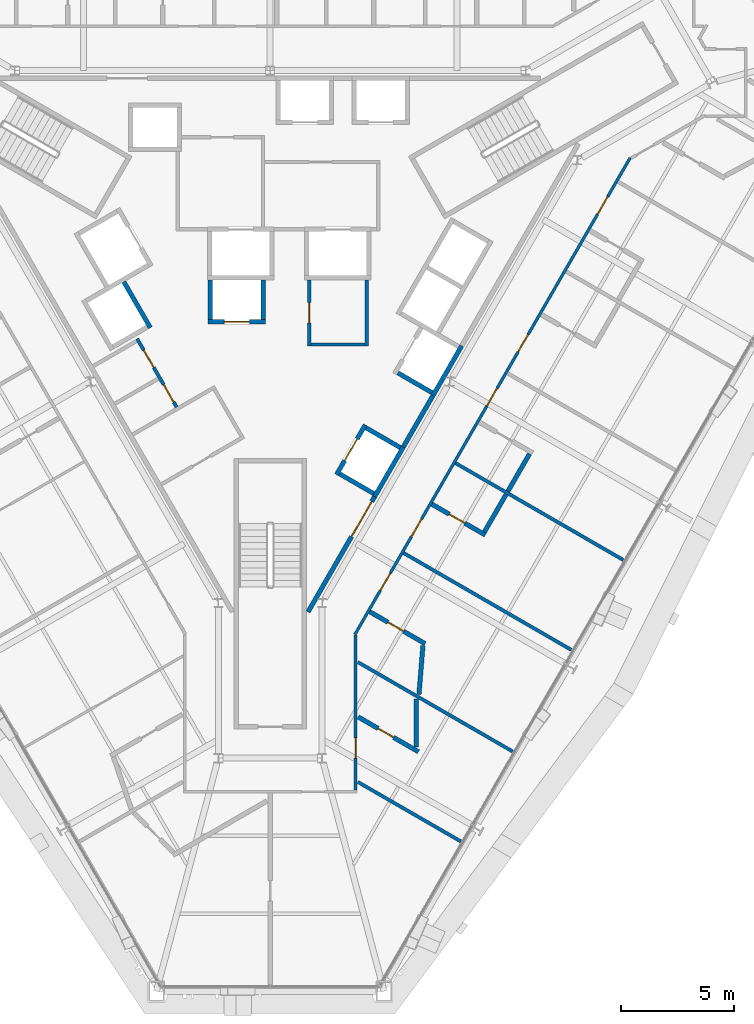
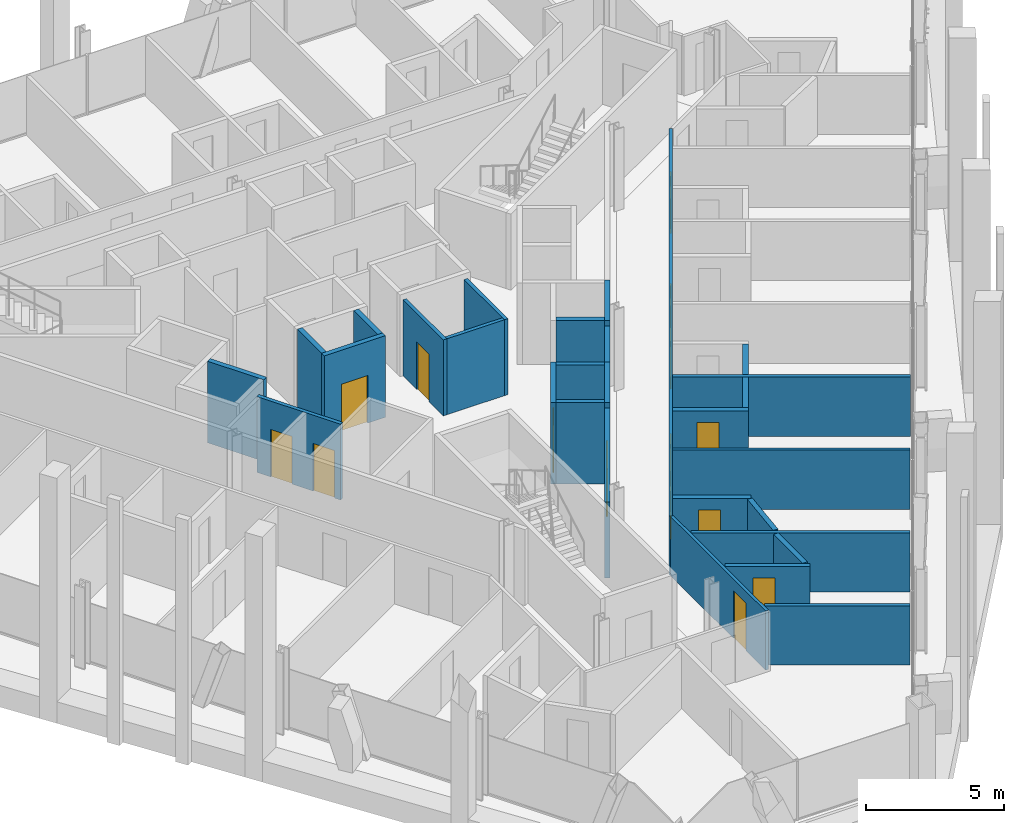
# One storey, part 11 of 17: 29 walls, 15 doors, 15 openings.
"""IFC4 building model written with IfcOpenShell, lengths in metres."""

import ifcopenshell
import ifcopenshell.guid

model = None  # the IFC model being written
_history = None  # IfcOwnerHistory: only IFC2X3 demands one
_inside = {}  # id of a spatial element -> (the spatial element, [elements in it])
_under = {}  # id of a project, library or spatial element -> (it, [spatial elements below it])
_declared = {}  # id of a project -> (the project, [libraries it declares])
_typed = {}  # id of a type object -> (the type object, [elements of that type])
_made_of = {}  # id of a material, layer set ... -> (it, [elements and type objects made of it])


def new_model(schema):
    """Start an empty IFC model of exactly this schema.

    Asked for "IFC4X3", IfcOpenShell would pick the latest addendum, in which some entities
    have other attributes; the version numbers below select the first issue.
    IFC2X3 requires an IfcOwnerHistory on every rooted entity: one is made here for all.
    """
    global model, _history
    if schema == "IFC4X3":
        model = ifcopenshell.file(schema_version=(4, 3, 0, 0))
    else:
        model = ifcopenshell.file(schema=schema)
    _inside.clear()
    _under.clear()
    _declared.clear()
    _typed.clear()
    _made_of.clear()
    _history = None
    if model.schema == "IFC2X3":
        org = make("IfcOrganization", Name="unknown")
        user = make(
            "IfcPersonAndOrganization",
            ThePerson=make("IfcPerson", FamilyName="unknown"),
            TheOrganization=org,
        )
        app = make(
            "IfcApplication",
            ApplicationDeveloper=org,
            Version="unknown",
            ApplicationFullName="unknown",
            ApplicationIdentifier="unknown",
        )
        _history = make(
            "IfcOwnerHistory",
            OwningUser=user,
            OwningApplication=app,
            ChangeAction="ADDED",
            CreationDate=0,
        )
    return model


def make(cls, **values):
    """One entity of the class cls with the attributes given. An attribute that is None is left unset."""
    return model.create_entity(
        cls, **{name: value for name, value in values.items() if value is not None}
    )


def rooted(cls, **values):
    """An entity with a GlobalId (a new one), such as an element, a storey or a relation."""
    return make(cls, GlobalId=ifcopenshell.guid.new(), OwnerHistory=_history, **values)


def si_unit(unit_type, name, prefix=None):
    """IfcSIUnit, for example si_unit("LENGTHUNIT", "METRE", prefix="MILLI")."""
    return make("IfcSIUnit", UnitType=unit_type, Prefix=prefix, Name=name)


def assignment(units):
    """IfcUnitAssignment: the units of a project."""
    return None if units is None else make("IfcUnitAssignment", Units=units)


def point(xyz):
    """IfcCartesianPoint."""
    return None if xyz is None else make("IfcCartesianPoint", Coordinates=xyz)


def direction(xyz):
    """IfcDirection."""
    return None if xyz is None else make("IfcDirection", DirectionRatios=xyz)


def frame(location, z_axis=None, x_axis=None):
    """IfcAxis2Placement3D, a coordinate frame: its origin and axes. An axis left out is left unset."""
    return make(
        "IfcAxis2Placement3D",
        Location=point(location),
        Axis=direction(z_axis),
        RefDirection=direction(x_axis),
    )


def frame_2d(location, x_axis=None):
    """IfcAxis2Placement2D, a coordinate frame in the plane: its origin and x axis."""
    return make(
        "IfcAxis2Placement2D", Location=point(location), RefDirection=direction(x_axis)
    )


def origin():
    """The frame at (0, 0, 0) with its axes left unset."""
    return frame((0.0, 0.0, 0.0))


def place(relative_to, where):
    """IfcLocalPlacement: puts the frame where relative to a parent placement (None: the world)."""
    return make(
        "IfcLocalPlacement", PlacementRelTo=relative_to, RelativePlacement=where
    )


def context(
    kind, dimensions, precision=None, world=None, true_north=None, identifier=None
):
    """IfcGeometricRepresentationContext, for example the 3D "Model" context."""
    return make(
        "IfcGeometricRepresentationContext",
        ContextIdentifier=identifier,
        ContextType=kind,
        CoordinateSpaceDimension=dimensions,
        Precision=precision,
        WorldCoordinateSystem=world,
        TrueNorth=true_north,
    )


def subcontext(parent, identifier, kind, view, scale=None):
    """IfcGeometricRepresentationSubContext, for example "Body" below "Model"."""
    return make(
        "IfcGeometricRepresentationSubContext",
        ContextIdentifier=identifier,
        ContextType=kind,
        ParentContext=parent,
        TargetScale=scale,
        TargetView=view,
    )


def project(units=None, contexts=None):
    """IfcProject with its units and contexts."""
    return rooted(
        "IfcProject",
        Name="project",
        RepresentationContexts=contexts,
        UnitsInContext=assignment(units),
    )


def spatial(cls, under=None, at=None, **own):
    """A site, building, storey or space (cls), placed at a placement, below another one or the project."""
    s = rooted(cls, ObjectPlacement=at, **own)
    if under is not None:
        _under.setdefault(under.id(), (under, []))[1].append(s)
    return s


def profile(cls, at=None, kind="AREA", **sizes):
    """A parametric profile (cls). Its sizes go by their IFC names, for example OverallWidth=200.0."""
    return make(cls, ProfileType=kind, Position=at, **sizes)


def rectangle(**sizes):
    """IfcRectangleProfileDef."""
    return profile("IfcRectangleProfileDef", **sizes)


def extrude(swept, where, along, depth):
    """IfcExtrudedAreaSolid: the profile swept, set in the frame where, extruded along a direction by depth."""
    return make(
        "IfcExtrudedAreaSolid",
        SweptArea=swept,
        Position=where,
        ExtrudedDirection=direction(along),
        Depth=depth,
    )


def shape(context_of_items, identifier, shape_type, items):
    """IfcShapeRepresentation: the items that make up one representation, for example the "Body"."""
    return make(
        "IfcShapeRepresentation",
        ContextOfItems=context_of_items,
        RepresentationIdentifier=identifier,
        RepresentationType=shape_type,
        Items=items,
    )


def material(Name=None, Category=None):
    """IfcMaterial."""
    return make("IfcMaterial", Name=Name, Category=Category)


def layer(
    of_material, thickness, ventilated=None, Name=None, Category=None, Priority=None
):
    """IfcMaterialLayer: one layer of a wall or slab, of a material (None: an air gap)."""
    return make(
        "IfcMaterialLayer",
        Material=of_material,
        LayerThickness=thickness,
        IsVentilated=ventilated,
        Name=Name,
        Category=Category,
        Priority=Priority,
    )


def layer_set(layers, Name=None):
    """IfcMaterialLayerSet."""
    return make("IfcMaterialLayerSet", MaterialLayers=layers, LayerSetName=Name)


def made_of(thing, what):
    """Note that an element or type object is made of a material, layer set ...; save() writes the relation."""
    if what is not None:
        _made_of.setdefault(what.id(), (what, []))[1].append(thing)
    return thing


def type_object(cls, material=None, **own):
    """A type object (cls), such as IfcWallType, which elements share."""
    return made_of(rooted(cls, **own), material)


def element(
    cls,
    number,
    at=None,
    inside=None,
    cuts=None,
    type_object=None,
    material=None,
    context=None,
    identifier="Body",
    shape_type=None,
    held_by="IfcProductDefinitionShape",
    body=None,
    shapes=None,
    **own,
):
    """One element of the class cls, such as IfcWall. Its Tag is "e" and its number.

    at: its placement. inside: the storey or other place that contains it. cuts: it is an
    opening in that element (IfcRelVoidsElement). A single representation is given by context,
    identifier, shape_type and body (its items); several are given by shapes. held_by: the class
    of the entity that holds the representations. save() writes the other relations.
    """
    e = rooted(cls, Tag="e%d" % number, ObjectPlacement=at, **own)
    if body is not None:
        shapes = [shape(context, identifier, shape_type, body)]
    if shapes is not None:
        e.Representation = make(held_by, Representations=shapes)
    if inside is not None:
        _inside.setdefault(inside.id(), (inside, []))[1].append(e)
    if cuts is not None:
        rooted(
            "IfcRelVoidsElement", RelatingBuildingElement=cuts, RelatedOpeningElement=e
        )
    if type_object is not None:
        _typed.setdefault(type_object.id(), (type_object, []))[1].append(e)
    return made_of(e, material)


def fill(opening, filler):
    """IfcRelFillsElement: the door or window that sits in an opening."""
    return rooted(
        "IfcRelFillsElement",
        RelatingOpeningElement=opening,
        RelatedBuildingElement=filler,
    )


def aggregate(whole, parts):
    """IfcRelAggregates: a whole, such as a stair, and the parts it consists of."""
    return rooted("IfcRelAggregates", RelatingObject=whole, RelatedObjects=parts)


def save(model, path):
    """Write the relations noted so far, then the file.

    IfcRelAggregates (storeys below a building ...), IfcRelContainedInSpatialStructure (elements
    in a storey), IfcRelDefinesByType, IfcRelAssociatesMaterial and IfcRelDeclares: one each for
    every whole, place, type object, material and project.
    """
    for whole, parts in _under.values():
        aggregate(whole, parts)
    for where, things in _inside.values():
        rooted(
            "IfcRelContainedInSpatialStructure",
            RelatedElements=things,
            RelatingStructure=where,
        )
    for kind, things in _typed.values():
        rooted("IfcRelDefinesByType", RelatedObjects=things, RelatingType=kind)
    for what, things in _made_of.values():
        rooted("IfcRelAssociatesMaterial", RelatedObjects=things, RelatingMaterial=what)
    for by, libraries in _declared.values():
        rooted("IfcRelDeclares", RelatingContext=by, RelatedDefinitions=libraries)
    model.write(path)


model = new_model("IFC4")

# Units and contexts
model_context = context("Model", 3, precision=1e-05, world=origin(), true_north=direction((0.0, 1.0)))
body_context = subcontext(model_context, "Body", "Model", "MODEL_VIEW")
ifc_project = project(units=[si_unit("LENGTHUNIT", "METRE"), si_unit("AREAUNIT", "SQUARE_METRE"), si_unit("VOLUMEUNIT", "CUBIC_METRE"), si_unit("PLANEANGLEUNIT", "RADIAN"), si_unit("MASSUNIT", "GRAM", prefix="KILO")], contexts=[model_context])

# Site, building, storey
site_placement = place(None, origin())
site = spatial("IfcSite", under=ifc_project, at=site_placement, CompositionType="ELEMENT")
building_placement = place(site_placement, origin())
building = spatial("IfcBuilding", under=site, at=building_placement, Name="Verrane Prism Tower", CompositionType="ELEMENT")
storey_placement = place(building_placement, frame((0.0, 0.0, 132.39990234375)))
storey = spatial("IfcBuildingStorey", under=building, at=storey_placement, Name="L32", CompositionType="ELEMENT", Elevation=132.39990234375)

# Wall, opening, door
ifc_material_1 = material(Name="Gypsum board partition", Category="other")
ifc_layer_1 = layer(ifc_material_1, 0.199951171875)
ifc_layer_set_1 = layer_set([ifc_layer_1], Name="CW-200 core boundary wall 2 h")
wall_type_1 = type_object("IfcWallType", Name="CW-200 core boundary wall 2 h", PredefinedType="PARTITIONING", material=ifc_layer_set_1)
wall_1_placement = place(storey_placement, frame((1.677490234375, -14.814697265625, 0.0), z_axis=(0.0, 0.0, 1.0), x_axis=(0.49999445743, 0.866028603765, 0.0)))
wall_1 = element("IfcWall", 1, at=wall_1_placement, inside=storey, type_object=wall_type_1, Name="Core boundary wall CW3-003", PredefinedType="PARTITIONING", context=body_context, shape_type="SweptSolid", body=[
    extrude(rectangle(XDim=5.90478515625, YDim=0.199951171875, at=frame_2d((2.952392578125, 0.0))), origin(), (0.0, 0.0, 1.0), 3.35009765625),
])
opening_1_placement = place(wall_1_placement, frame((3.85498046875, 0.0, 0.0)))
opening_1 = element("IfcOpeningElement", 2, at=opening_1_placement, cuts=wall_1, Name="Opening D32517", PredefinedType="OPENING", context=body_context, shape_type="SweptSolid", body=[
    extrude(rectangle(XDim=1.800048828125, YDim=2.10009765625, at=frame_2d((0.89990234375, 1.050048828125))), frame((0.0, 0.10986328125, 0.0), z_axis=(0.0, -1.0, 0.0), x_axis=(1.0, 0.0, 0.0)), (0.0, 0.0, 1.0), 0.219970703125),
])
ifc_material_2 = material(Name="Timber veneered door leaf", Category="wood")
door_type_1 = type_object("IfcDoorType", Name="DR-1800x2100 FD60 double leaf lift lobby", OperationType="NOTDEFINED", PredefinedType="DOOR", material=ifc_material_2)
door_1_placement = place(opening_1_placement, origin())
door_1 = element("IfcDoor", 3, at=door_1_placement, inside=storey, type_object=door_type_1, Name="Lift lobby door D32517", OperationType="DOUBLE_DOOR_SINGLE_SWING", OverallHeight=2.10009765625, OverallWidth=1.800048828125, PredefinedType="DOOR", context=body_context, shape_type="SweptSolid", body=[
    extrude(rectangle(XDim=1.800048828125, YDim=2.10009765625, at=frame_2d((0.89990234375, 1.050048828125))), frame((0.0, 0.02490234375, 0.0), z_axis=(0.0, -1.0, 0.0), x_axis=(1.0, 0.0, 0.0)), (0.0, 0.0, 1.0), 0.050048828125),
])
fill(opening_1, door_1)

# Wall
wall_2_placement = place(storey_placement, frame((5.906005859375, -7.489990234375, 0.0), z_axis=(0.0, 0.0, 1.0), x_axis=(0.500252727967, 0.865879442048, 0.0)))
element("IfcWall", 4, at=wall_2_placement, inside=storey, type_object=wall_type_1, Name="Core boundary wall CW3-005", PredefinedType="PARTITIONING", context=body_context, shape_type="SweptSolid", body=[
    extrude(rectangle(XDim=2.616943359375, YDim=0.199951171875, at=frame_2d((1.30859375, 0.0))), origin(), (0.0, 0.0, 1.0), 3.35009765625),
])

# Wall, opening, door
ifc_material_3 = material(Name="Gypsum board shaft wall assembly", Category="other")
ifc_layer_2 = layer(ifc_material_3, 0.199951171875)
ifc_layer_set_2 = layer_set([ifc_layer_2], Name="HW-200 lift shaft wall 2 h")
wall_type_2 = type_object("IfcWallType", Name="HW-200 lift shaft wall 2 h", PredefinedType="PARTITIONING", material=ifc_layer_set_2)
wall_3_placement = place(storey_placement, frame((-2.7548828125, -1.949951171875, 0.0), z_axis=(0.0, 0.0, 1.0), x_axis=(1.0, 0.0, 0.0)))
wall_3 = element("IfcWall", 5, at=wall_3_placement, inside=storey, type_object=wall_type_2, Name="Lift shaft wall", PredefinedType="PARTITIONING", context=body_context, shape_type="SweptSolid", body=[
    extrude(rectangle(XDim=2.5498046875, YDim=0.199951171875, at=frame_2d((1.27490234375, 0.0))), origin(), (0.0, 0.0, 1.0), 3.60009765625),
])
opening_2_placement = place(wall_3_placement, frame((0.72509765625, 0.0, 0.0)))
opening_2 = element("IfcOpeningElement", 6, at=opening_2_placement, cuts=wall_3, Name="Opening D32504", PredefinedType="OPENING", context=body_context, shape_type="SweptSolid", body=[
    extrude(rectangle(XDim=1.10009765625, YDim=2.10009765625, at=frame_2d((0.550048828125, 1.050048828125))), frame((0.0, 0.10986328125, 0.0), z_axis=(0.0, -1.0, 0.0), x_axis=(1.0, 0.0, 0.0)), (0.0, 0.0, 1.0), 0.219970703125),
])
ifc_material_4 = material(Name="Stainless steel sliding landing door", Category="steel")
door_type_2 = type_object("IfcDoorType", Name="LD-1100x2100 lift landing door FD90 sliding", OperationType="NOTDEFINED", PredefinedType="DOOR", material=ifc_material_4)
door_2_placement = place(opening_2_placement, origin())
door_2 = element("IfcDoor", 7, at=door_2_placement, inside=storey, type_object=door_type_2, Name="Bank A lift 2 landing door", OperationType="SLIDING_TO_RIGHT", OverallHeight=2.10009765625, OverallWidth=1.10009765625, PredefinedType="DOOR", context=body_context, shape_type="SweptSolid", body=[
    extrude(rectangle(XDim=1.10009765625, YDim=2.10009765625, at=frame_2d((0.550048828125, 1.050048828125))), frame((0.0, 0.02490234375, 0.0), z_axis=(0.0, -1.0, 0.0), x_axis=(1.0, 0.0, 0.0)), (0.0, 0.0, 1.0), 0.050048828125),
])
fill(opening_2, door_2)

# Walls
wall_4_placement = place(storey_placement, frame((4.63037109375, -9.69970703125, 0.0), z_axis=(0.0, 0.0, 1.0), x_axis=(0.500062241894, 0.865989465428, 0.0)))
element("IfcWall", 8, at=wall_4_placement, inside=storey, type_object=wall_type_2, Name="Lift shaft wall", PredefinedType="PARTITIONING", context=body_context, shape_type="SweptSolid", body=[
    extrude(rectangle(XDim=2.550048828125, YDim=0.199951171875, at=frame_2d((1.27490234375, 0.0))), origin(), (0.0, 0.0, 1.0), 3.60009765625),
])
wall_5_placement = place(storey_placement, frame((7.215576171875, -5.222412109375, 0.0), z_axis=(0.0, 0.0, 1.0), x_axis=(0.499990435942, 0.866030925526, 0.0)))
element("IfcWall", 9, at=wall_5_placement, inside=storey, type_object=wall_type_2, Name="Lift shaft wall", PredefinedType="PARTITIONING", context=body_context, shape_type="SweptSolid", body=[
    extrude(rectangle(XDim=2.5498046875, YDim=0.199951171875, at=frame_2d((1.27490234375, 0.0))), origin(), (0.0, 0.0, 1.0), 3.60009765625),
])

# Wall, opening, door
wall_6_placement = place(storey_placement, frame((2.941650390625, -8.724853515625, 0.0), z_axis=(0.0, 0.0, 1.0), x_axis=(0.500020783669, 0.866013403995, 0.0)))
wall_6 = element("IfcWall", 10, at=wall_6_placement, inside=storey, type_object=wall_type_2, Name="Lift shaft wall", PredefinedType="PARTITIONING", context=body_context, shape_type="SweptSolid", body=[
    extrude(rectangle(XDim=2.55029296875, YDim=0.199951171875, at=frame_2d((1.275146484375, 0.0))), origin(), (0.0, 0.0, 1.0), 3.60009765625),
])
opening_3_placement = place(wall_6_placement, frame((0.72509765625, 0.0, 0.0)))
opening_3 = element("IfcOpeningElement", 11, at=opening_3_placement, cuts=wall_6, Name="Opening D32506", PredefinedType="OPENING", context=body_context, shape_type="SweptSolid", body=[
    extrude(rectangle(XDim=1.10009765625, YDim=2.10009765625, at=frame_2d((0.550048828125, 1.050048828125))), frame((0.0, 0.10986328125, 0.0), z_axis=(0.0, -1.0, 0.0), x_axis=(1.0, 0.0, 0.0)), (0.0, 0.0, 1.0), 0.219970703125),
])
door_3_placement = place(opening_3_placement, origin())
door_3 = element("IfcDoor", 12, at=door_3_placement, inside=storey, type_object=door_type_2, Name="Bank A lift 4 landing door", OperationType="SLIDING_TO_RIGHT", OverallHeight=2.10009765625, OverallWidth=1.10009765625, PredefinedType="DOOR", context=body_context, shape_type="SweptSolid", body=[
    extrude(rectangle(XDim=1.10009765625, YDim=2.10009765625, at=frame_2d((0.550048828125, 1.050048828125))), frame((0.0, 0.02490234375, 0.0), z_axis=(0.0, -1.0, 0.0), x_axis=(1.0, 0.0, 0.0)), (0.0, 0.0, 1.0), 0.050048828125),
])
fill(opening_3, door_3)

# Walls
for number, where, z_axis, x_axis, name in (
    (13, (-0.304931640625, -1.85009765625, 0.0), (0.0, 0.0, 1.0), (0.0, 1.0, 0.0), "Lift shaft wall"),
    (14, (-2.655029296875, -1.85009765625, 0.0), (0.0, 0.0, 1.0), (0.0, 1.0, 0.0), "Lift shaft wall"),
):
    element("IfcWall", number, at=place(storey_placement, frame(where, z_axis=z_axis, x_axis=x_axis)), inside=storey, type_object=wall_type_2, Name=name, PredefinedType="PARTITIONING", context=body_context, shape_type="SweptSolid", body=[
        extrude(rectangle(XDim=1.75, YDim=0.199951171875, at=frame_2d((0.875, 0.0))), origin(), (0.0, 0.0, 1.0), 3.60009765625),
    ])
wall_7_placement = place(storey_placement, frame((-5.317626953125, -2.209716796875, 0.0), z_axis=(0.0, 0.0, 1.0), x_axis=(-0.499938297808, 0.866061024631, 0.0)))
element("IfcWall", 15, at=wall_7_placement, inside=storey, type_object=wall_type_2, Name="Lift shaft wall", PredefinedType="PARTITIONING", context=body_context, shape_type="SweptSolid", body=[
    extrude(rectangle(XDim=2.349853515625, YDim=0.199951171875, at=frame_2d((1.1748046875, 0.0))), origin(), (0.0, 0.0, 1.0), 3.60009765625),
])
wall_8_placement = place(storey_placement, frame((7.178955078125, -5.085693359375, 0.0), z_axis=(0.0, 0.0, 1.0), x_axis=(-0.866036909293, 0.499980071345, 0.0)))
element("IfcWall", 16, at=wall_8_placement, inside=storey, type_object=wall_type_2, Name="Lift shaft wall", PredefinedType="PARTITIONING", context=body_context, shape_type="SweptSolid", body=[
    extrude(rectangle(XDim=1.75, YDim=0.199951171875, at=frame_2d((0.875, 0.0))), origin(), (0.0, 0.0, 1.0), 3.60009765625),
])
wall_9_placement = place(storey_placement, frame((5.768798828125, -7.528076171875, 0.0), z_axis=(0.0, 0.0, 1.0), x_axis=(-0.866002029911, 0.500040482552, 0.0)))
element("IfcWall", 17, at=wall_9_placement, inside=storey, type_object=wall_type_2, Name="Lift shaft wall", PredefinedType="PARTITIONING", context=body_context, shape_type="SweptSolid", body=[
    extrude(rectangle(XDim=1.749755859375, YDim=0.199951171875, at=frame_2d((0.875, 0.0))), origin(), (0.0, 0.0, 1.0), 3.60009765625),
])
wall_10_placement = place(storey_placement, frame((4.593994140625, -9.563232421875, 0.0), z_axis=(0.0, 0.0, 1.0), x_axis=(-0.866036909293, 0.499980071345, 0.0)))
element("IfcWall", 18, at=wall_10_placement, inside=storey, type_object=wall_type_2, Name="Lift shaft wall", PredefinedType="PARTITIONING", context=body_context, shape_type="SweptSolid", body=[
    extrude(rectangle(XDim=1.75, YDim=0.199951171875, at=frame_2d((0.875, 0.0))), origin(), (0.0, 0.0, 1.0), 3.60009765625),
])

# Wall, opening, door
ifc_material_5 = material(Name="Gypsum board partition", Category="other")
ifc_layer_3 = layer(ifc_material_5, 0.125)
ifc_layer_set_3 = layer_set([ifc_layer_3], Name="PW-125 corridor wall 1 h")
wall_type_3 = type_object("IfcWallType", Name="PW-125 corridor wall 1 h", PredefinedType="PARTITIONING", material=ifc_layer_set_3)
wall_11_placement = place(storey_placement, frame((3.787109375, -15.846923828125, 0.0), z_axis=(0.0, 0.0, 1.0), x_axis=(0.0, -1.0, 0.0)))
wall_11 = element("IfcWall", 19, at=wall_11_placement, inside=storey, type_object=wall_type_3, Name="Corridor wall 052", PredefinedType="PARTITIONING", context=body_context, shape_type="SweptSolid", body=[
    extrude(rectangle(XDim=6.875, YDim=0.125, at=frame_2d((3.4375, 0.0))), origin(), (0.0, 0.0, 1.0), 2.613037109375),
])
opening_4_placement = place(wall_11_placement, frame((4.551025390625, 0.0, 0.0)))
opening_4 = element("IfcOpeningElement", 20, at=opening_4_placement, cuts=wall_11, Name="Opening D32001", PredefinedType="OPENING", context=body_context, shape_type="SweptSolid", body=[
    extrude(rectangle(XDim=0.89990234375, YDim=2.10009765625, at=frame_2d((0.449951171875, 1.050048828125))), frame((0.0, 0.072509765625, 0.0), z_axis=(0.0, -1.0, 0.0), x_axis=(1.0, 0.0, 0.0)), (0.0, 0.0, 1.0), 0.14501953125),
])
ifc_material_6 = material(Name="Timber veneered door leaf", Category="wood")
door_type_3 = type_object("IfcDoorType", Name="DR-900x2100 FD20 single leaf unit", OperationType="NOTDEFINED", PredefinedType="DOOR", material=ifc_material_6)
door_4_placement = place(opening_4_placement, origin())
door_4 = element("IfcDoor", 21, at=door_4_placement, inside=storey, type_object=door_type_3, Name="Guest Room door", OperationType="SINGLE_SWING_RIGHT", OverallHeight=2.10009765625, OverallWidth=0.89990234375, PredefinedType="DOOR", context=body_context, shape_type="SweptSolid", body=[
    extrude(rectangle(XDim=0.89990234375, YDim=2.10009765625, at=frame_2d((0.449951171875, 1.050048828125))), frame((0.0, 0.02490234375, 0.0), z_axis=(0.0, -1.0, 0.0), x_axis=(1.0, 0.0, 0.0)), (0.0, 0.0, 1.0), 0.050048828125),
])
fill(opening_4, door_4)

# Wall, openings, doors
wall_12_placement = place(storey_placement, frame((15.962158203125, 5.326171875, 0.0), z_axis=(0.0, 0.0, 1.0), x_axis=(-0.499992829944, -0.866029543379, 0.0)))
wall_12 = element("IfcWall", 22, at=wall_12_placement, inside=storey, type_object=wall_type_3, Name="Corridor wall 056", PredefinedType="PARTITIONING", context=body_context, shape_type="SweptSolid", body=[
    extrude(rectangle(XDim=24.412841796875, YDim=0.125, at=frame_2d((12.20654296875, 0.0))), origin(), (0.0, 0.0, 1.0), 2.613037109375),
])
opening_5_placement = place(wall_12_placement, frame((21.257568359375, 0.0, 0.0)))
opening_5 = element("IfcOpeningElement", 23, at=opening_5_placement, cuts=wall_12, Name="Opening D32003", PredefinedType="OPENING", context=body_context, shape_type="SweptSolid", body=[
    extrude(rectangle(XDim=0.89990234375, YDim=2.10009765625, at=frame_2d((0.449951171875, 1.050048828125))), frame((0.0, 0.072509765625, 0.0), z_axis=(0.0, -1.0, 0.0), x_axis=(1.0, 0.0, 0.0)), (0.0, 0.0, 1.0), 0.14501953125),
])
opening_6_placement = place(wall_12_placement, frame((18.50244140625, 0.0, 0.0)))
opening_6 = element("IfcOpeningElement", 24, at=opening_6_placement, cuts=wall_12, Name="Opening D32005", PredefinedType="OPENING", context=body_context, shape_type="SweptSolid", body=[
    extrude(rectangle(XDim=0.89990234375, YDim=2.10009765625, at=frame_2d((0.449951171875, 1.050048828125))), frame((0.0, 0.072509765625, 0.0), z_axis=(0.0, -1.0, 0.0), x_axis=(1.0, 0.0, 0.0)), (0.0, 0.0, 1.0), 0.14501953125),
])
opening_7_placement = place(wall_12_placement, frame((11.798583984375, 0.0, 0.0)))
opening_7 = element("IfcOpeningElement", 25, at=opening_7_placement, cuts=wall_12, Name="Opening D32007", PredefinedType="OPENING", context=body_context, shape_type="SweptSolid", body=[
    extrude(rectangle(XDim=0.89990234375, YDim=2.10009765625, at=frame_2d((0.449951171875, 1.050048828125))), frame((0.0, 0.072509765625, 0.0), z_axis=(0.0, -1.0, 0.0), x_axis=(1.0, 0.0, 0.0)), (0.0, 0.0, 1.0), 0.14501953125),
])
opening_8_placement = place(wall_12_placement, frame((9.04345703125, 0.0, 0.0)))
opening_8 = element("IfcOpeningElement", 26, at=opening_8_placement, cuts=wall_12, Name="Opening D32009", PredefinedType="OPENING", context=body_context, shape_type="SweptSolid", body=[
    extrude(rectangle(XDim=0.89990234375, YDim=2.10009765625, at=frame_2d((0.449951171875, 1.050048828125))), frame((0.0, 0.072509765625, 0.0), z_axis=(0.0, -1.0, 0.0), x_axis=(1.0, 0.0, 0.0)), (0.0, 0.0, 1.0), 0.14501953125),
])
opening_9_placement = place(wall_12_placement, frame((1.989501953125, 0.0, 0.0)))
opening_9 = element("IfcOpeningElement", 27, at=opening_9_placement, cuts=wall_12, Name="Opening D32011", PredefinedType="OPENING", context=body_context, shape_type="SweptSolid", body=[
    extrude(rectangle(XDim=0.89990234375, YDim=2.10009765625, at=frame_2d((0.449951171875, 1.050048828125))), frame((0.0, 0.072509765625, 0.0), z_axis=(0.0, -1.0, 0.0), x_axis=(1.0, 0.0, 0.0)), (0.0, 0.0, 1.0), 0.14501953125),
])
door_5_placement = place(opening_5_placement, origin())
door_5 = element("IfcDoor", 28, at=door_5_placement, inside=storey, type_object=door_type_3, Name="Guest Room door", OperationType="SINGLE_SWING_RIGHT", OverallHeight=2.10009765625, OverallWidth=0.89990234375, PredefinedType="DOOR", context=body_context, shape_type="SweptSolid", body=[
    extrude(rectangle(XDim=0.89990234375, YDim=2.10009765625, at=frame_2d((0.449951171875, 1.050048828125))), frame((0.0, 0.02490234375, 0.0), z_axis=(0.0, -1.0, 0.0), x_axis=(1.0, 0.0, 0.0)), (0.0, 0.0, 1.0), 0.050048828125),
])
fill(opening_5, door_5)
door_6_placement = place(opening_6_placement, origin())
door_6 = element("IfcDoor", 29, at=door_6_placement, inside=storey, type_object=door_type_3, Name="Guest Room door", OperationType="SINGLE_SWING_RIGHT", OverallHeight=2.10009765625, OverallWidth=0.89990234375, PredefinedType="DOOR", context=body_context, shape_type="SweptSolid", body=[
    extrude(rectangle(XDim=0.89990234375, YDim=2.10009765625, at=frame_2d((0.449951171875, 1.050048828125))), frame((0.0, 0.02490234375, 0.0), z_axis=(0.0, -1.0, 0.0), x_axis=(1.0, 0.0, 0.0)), (0.0, 0.0, 1.0), 0.050048828125),
])
fill(opening_6, door_6)
door_7_placement = place(opening_7_placement, origin())
door_7 = element("IfcDoor", 30, at=door_7_placement, inside=storey, type_object=door_type_3, Name="Guest Room door", OperationType="SINGLE_SWING_RIGHT", OverallHeight=2.10009765625, OverallWidth=0.89990234375, PredefinedType="DOOR", context=body_context, shape_type="SweptSolid", body=[
    extrude(rectangle(XDim=0.89990234375, YDim=2.10009765625, at=frame_2d((0.449951171875, 1.050048828125))), frame((0.0, 0.02490234375, 0.0), z_axis=(0.0, -1.0, 0.0), x_axis=(1.0, 0.0, 0.0)), (0.0, 0.0, 1.0), 0.050048828125),
])
fill(opening_7, door_7)
door_8_placement = place(opening_8_placement, origin())
door_8 = element("IfcDoor", 31, at=door_8_placement, inside=storey, type_object=door_type_3, Name="Guest Room door", OperationType="SINGLE_SWING_RIGHT", OverallHeight=2.10009765625, OverallWidth=0.89990234375, PredefinedType="DOOR", context=body_context, shape_type="SweptSolid", body=[
    extrude(rectangle(XDim=0.89990234375, YDim=2.10009765625, at=frame_2d((0.449951171875, 1.050048828125))), frame((0.0, 0.02490234375, 0.0), z_axis=(0.0, -1.0, 0.0), x_axis=(1.0, 0.0, 0.0)), (0.0, 0.0, 1.0), 0.050048828125),
])
fill(opening_8, door_8)
door_9_placement = place(opening_9_placement, origin())
door_9 = element("IfcDoor", 32, at=door_9_placement, inside=storey, type_object=door_type_3, Name="Guest Room door", OperationType="SINGLE_SWING_RIGHT", OverallHeight=2.10009765625, OverallWidth=0.89990234375, PredefinedType="DOOR", context=body_context, shape_type="SweptSolid", body=[
    extrude(rectangle(XDim=0.89990234375, YDim=2.10009765625, at=frame_2d((0.449951171875, 1.050048828125))), frame((0.0, 0.02490234375, 0.0), z_axis=(0.0, -1.0, 0.0), x_axis=(1.0, 0.0, 0.0)), (0.0, 0.0, 1.0), 0.050048828125),
])
fill(opening_9, door_9)

# Walls
ifc_material_7 = material(Name="Gypsum board partition", Category="other")
ifc_layer_4 = layer(ifc_material_7, 0.14990234375)
ifc_layer_set_4 = layer_set([ifc_layer_4], Name="PW-150 demising wall 1 h")
wall_type_4 = type_object("IfcWallType", Name="PW-150 demising wall 1 h", PredefinedType="PARTITIONING", material=ifc_layer_set_4)
wall_13_placement = place(storey_placement, frame((3.886962890625, -22.355712890625, 0.0), z_axis=(0.0, 0.0, 1.0), x_axis=(0.866039804031, -0.499975057213, 0.0)))
element("IfcWall", 33, at=wall_13_placement, inside=storey, type_object=wall_type_4, Name="Demising wall 053", PredefinedType="PARTITIONING", context=body_context, shape_type="SweptSolid", body=[
    extrude(rectangle(XDim=5.270751953125, YDim=0.14990234375, at=frame_2d((2.63525390625, 0.0))), origin(), (0.0, 0.0, 1.0), 2.613037109375),
])
wall_14_placement = place(storey_placement, frame((3.886962890625, -17.039794921875, 0.0), z_axis=(0.0, 0.0, 1.0), x_axis=(0.866046118416, -0.499964119488, 0.0)))
element("IfcWall", 34, at=wall_14_placement, inside=storey, type_object=wall_type_4, Name="Demising wall 055", PredefinedType="PARTITIONING", context=body_context, shape_type="SweptSolid", body=[
    extrude(rectangle(XDim=7.9287109375, YDim=0.14990234375, at=frame_2d((3.96435546875, 0.0))), origin(), (0.0, 0.0, 1.0), 2.613037109375),
])
wall_15_placement = place(storey_placement, frame((5.916015625, -12.201171875, 0.0), z_axis=(0.0, 0.0, 1.0), x_axis=(0.865995804368, -0.50005126419, 0.0)))
element("IfcWall", 35, at=wall_15_placement, inside=storey, type_object=wall_type_4, Name="Demising wall 059", PredefinedType="PARTITIONING", context=body_context, shape_type="SweptSolid", body=[
    extrude(rectangle(XDim=8.5908203125, YDim=0.14990234375, at=frame_2d((4.29541015625, 0.0))), origin(), (0.0, 0.0, 1.0), 2.613037109375),
])
wall_16_placement = place(storey_placement, frame((8.218017578125, -8.213134765625, 0.0), z_axis=(0.0, 0.0, 1.0), x_axis=(0.865997709989, -0.500047963993, 0.0)))
element("IfcWall", 36, at=wall_16_placement, inside=storey, type_object=wall_type_4, Name="Demising wall 064", PredefinedType="PARTITIONING", context=body_context, shape_type="SweptSolid", body=[
    extrude(rectangle(XDim=8.591552734375, YDim=0.14990234375, at=frame_2d((4.2958984375, 0.0))), origin(), (0.0, 0.0, 1.0), 2.613037109375),
])

# Wall, opening, door
ifc_material_8 = material(Name="Gypsum board partition", Category="other")
ifc_layer_5 = layer(ifc_material_8, 0.199951171875)
ifc_layer_set_5 = layer_set([ifc_layer_5], Name="PW-200 plumbing wall")
wall_type_5 = type_object("IfcWallType", Name="PW-200 plumbing wall", PredefinedType="PARTITIONING", material=ifc_layer_set_5)
wall_17_placement = place(storey_placement, frame((3.8994140625, -19.470947265625, 0.0), z_axis=(0.0, 0.0, 1.0), x_axis=(0.866015731669, -0.500016752221, 0.0)))
wall_17 = element("IfcWall", 37, at=wall_17_placement, inside=storey, type_object=wall_type_5, Name="Plumbing wall 054", PredefinedType="PARTITIONING", context=body_context, shape_type="SweptSolid", body=[
    extrude(rectangle(XDim=3.087890625, YDim=0.199951171875, at=frame_2d((1.5439453125, 0.0))), origin(), (0.0, 0.0, 1.0), 2.613037109375),
])
opening_10_placement = place(wall_17_placement, frame((1.02001953125, 0.0, 0.0)))
opening_10 = element("IfcOpeningElement", 38, at=opening_10_placement, cuts=wall_17, Name="Opening D32002", PredefinedType="OPENING", context=body_context, shape_type="SweptSolid", body=[
    extrude(rectangle(XDim=0.800048828125, YDim=2.10009765625, at=frame_2d((0.39990234375, 1.050048828125))), frame((0.0, 0.10986328125, 0.0), z_axis=(0.0, -1.0, 0.0), x_axis=(1.0, 0.0, 0.0)), (0.0, 0.0, 1.0), 0.219970703125),
])
ifc_material_9 = material(Name="Timber veneered door leaf", Category="wood")
door_type_4 = type_object("IfcDoorType", Name="DR-800x2100 single leaf bath", OperationType="NOTDEFINED", PredefinedType="DOOR", material=ifc_material_9)
door_10_placement = place(opening_10_placement, origin())
door_10 = element("IfcDoor", 39, at=door_10_placement, inside=storey, type_object=door_type_4, Name="En-Suite door", OperationType="SINGLE_SWING_RIGHT", OverallHeight=2.10009765625, OverallWidth=0.800048828125, PredefinedType="DOOR", context=body_context, shape_type="SweptSolid", body=[
    extrude(rectangle(XDim=0.800048828125, YDim=2.10009765625, at=frame_2d((0.39990234375, 1.050048828125))), frame((0.0, 0.02490234375, 0.0), z_axis=(0.0, -1.0, 0.0), x_axis=(1.0, 0.0, 0.0)), (0.0, 0.0, 1.0), 0.050048828125),
])
fill(opening_10, door_10)

wall_18_placement = place(storey_placement, frame((6.87060546875, -16.221923828125, 0.0), z_axis=(0.0, 0.0, 1.0), x_axis=(-0.866048046904, 0.499960778915, 0.0)))
wall_18 = element("IfcWall", 40, at=wall_18_placement, inside=storey, type_object=wall_type_5, Name="Plumbing wall 057", PredefinedType="PARTITIONING", context=body_context, shape_type="SweptSolid", body=[
    extrude(rectangle(XDim=2.837646484375, YDim=0.199951171875, at=frame_2d((1.4189453125, 0.0))), origin(), (0.0, 0.0, 1.0), 2.613037109375),
])
opening_11_placement = place(wall_18_placement, frame((1.10009765625, 0.0, 0.0)))
opening_11 = element("IfcOpeningElement", 41, at=opening_11_placement, cuts=wall_18, Name="Opening D32004", PredefinedType="OPENING", context=body_context, shape_type="SweptSolid", body=[
    extrude(rectangle(XDim=0.800048828125, YDim=2.10009765625, at=frame_2d((0.39990234375, 1.050048828125))), frame((0.0, 0.10986328125, 0.0), z_axis=(0.0, -1.0, 0.0), x_axis=(1.0, 0.0, 0.0)), (0.0, 0.0, 1.0), 0.219970703125),
])
door_11_placement = place(opening_11_placement, origin())
door_11 = element("IfcDoor", 42, at=door_11_placement, inside=storey, type_object=door_type_4, Name="En-Suite door", OperationType="SINGLE_SWING_LEFT", OverallHeight=2.10009765625, OverallWidth=0.800048828125, PredefinedType="DOOR", context=body_context, shape_type="SweptSolid", body=[
    extrude(rectangle(XDim=0.800048828125, YDim=2.10009765625, at=frame_2d((0.39990234375, 1.050048828125))), frame((0.0, 0.02490234375, 0.0), z_axis=(0.0, -1.0, 0.0), x_axis=(1.0, 0.0, 0.0)), (0.0, 0.0, 1.0), 0.050048828125),
])
fill(opening_11, door_11)

# Walls
wall_19_placement = place(storey_placement, frame((6.487060546875, -20.794921875, 0.0), z_axis=(0.0, 0.0, 1.0), x_axis=(0.0, 1.0, 0.0)))
element("IfcWall", 43, at=wall_19_placement, inside=storey, type_object=wall_type_5, Name="Plumbing wall 060", PredefinedType="PARTITIONING", context=body_context, shape_type="SweptSolid", body=[
    extrude(rectangle(XDim=2.110595703125, YDim=0.199951171875, at=frame_2d((1.05517578125, 0.0))), origin(), (0.0, 0.0, 1.0), 2.613037109375),
])
wall_20_placement = place(storey_placement, frame((6.59765625, -18.468017578125, 0.0), z_axis=(0.0, 0.0, 1.0), x_axis=(0.080948878916, 0.996718254575, 0.0)))
element("IfcWall", 44, at=wall_20_placement, inside=storey, type_object=wall_type_5, Name="Plumbing wall 061", PredefinedType="PARTITIONING", context=body_context, shape_type="SweptSolid", body=[
    extrude(rectangle(XDim=2.16845703125, YDim=0.199951171875, at=frame_2d((1.084228515625, 0.0))), origin(), (0.0, 0.0, 1.0), 2.613037109375),
])

# Wall, opening, door
wall_21_placement = place(storey_placement, frame((7.168212890625, -10.0322265625, 0.0), z_axis=(0.0, 0.0, 1.0), x_axis=(0.86596722502, -0.50010075504, 0.0)))
wall_21 = element("IfcWall", 45, at=wall_21_placement, inside=storey, type_object=wall_type_5, Name="Plumbing wall 063", PredefinedType="PARTITIONING", context=body_context, shape_type="SweptSolid", body=[
    extrude(rectangle(XDim=2.7373046875, YDim=0.199951171875, at=frame_2d((1.36865234375, 0.0))), origin(), (0.0, 0.0, 1.0), 2.613037109375),
])
opening_12_placement = place(wall_21_placement, frame((0.887451171875, 0.0, 0.0)))
opening_12 = element("IfcOpeningElement", 46, at=opening_12_placement, cuts=wall_21, Name="Opening D32006", PredefinedType="OPENING", context=body_context, shape_type="SweptSolid", body=[
    extrude(rectangle(XDim=0.800048828125, YDim=2.10009765625, at=frame_2d((0.39990234375, 1.050048828125))), frame((0.0, 0.10986328125, 0.0), z_axis=(0.0, -1.0, 0.0), x_axis=(1.0, 0.0, 0.0)), (0.0, 0.0, 1.0), 0.219970703125),
])
door_12_placement = place(opening_12_placement, origin())
door_12 = element("IfcDoor", 47, at=door_12_placement, inside=storey, type_object=door_type_4, Name="En-Suite door", OperationType="SINGLE_SWING_RIGHT", OverallHeight=2.10009765625, OverallWidth=0.800048828125, PredefinedType="DOOR", context=body_context, shape_type="SweptSolid", body=[
    extrude(rectangle(XDim=0.800048828125, YDim=2.10009765625, at=frame_2d((0.39990234375, 1.050048828125))), frame((0.0, 0.02490234375, 0.0), z_axis=(0.0, -1.0, 0.0), x_axis=(1.0, 0.0, 0.0)), (0.0, 0.0, 1.0), 0.050048828125),
])
fill(opening_12, door_12)

# Walls
wall_22_placement = place(storey_placement, frame((9.501953125, -11.264404296875, 0.0), z_axis=(0.0, 0.0, 1.0), x_axis=(0.499887618105, 0.86609027778, 0.0)))
element("IfcWall", 48, at=wall_22_placement, inside=storey, type_object=wall_type_5, Name="Plumbing wall 068", PredefinedType="PARTITIONING", context=body_context, shape_type="SweptSolid", body=[
    extrude(rectangle(XDim=1.91943359375, YDim=0.199951171875, at=frame_2d((0.959716796875, 0.0))), origin(), (0.0, 0.0, 1.0), 2.613037109375),
])
wall_23_placement = place(storey_placement, frame((10.54150390625, -9.463134765625, 0.0), z_axis=(0.0, 0.0, 1.0), x_axis=(0.500214044309, 0.865901789971, 0.0)))
element("IfcWall", 49, at=wall_23_placement, inside=storey, type_object=wall_type_5, Name="Plumbing wall 070", PredefinedType="PARTITIONING", context=body_context, shape_type="SweptSolid", body=[
    extrude(rectangle(XDim=1.920166015625, YDim=0.199951171875, at=frame_2d((0.9599609375, 0.0))), origin(), (0.0, 0.0, 1.0), 2.613037109375),
])

# Wall, openings, doors
ifc_material_10 = material(Name="Gypsum board partition", Category="other")
ifc_layer_6 = layer(ifc_material_10, 0.14990234375)
ifc_layer_set_6 = layer_set([ifc_layer_6], Name="RS-150 riser enclosure wall 1 h")
wall_type_6 = type_object("IfcWallType", Name="RS-150 riser enclosure wall 1 h", PredefinedType="PARTITIONING", material=ifc_layer_set_6)
wall_24_placement = place(storey_placement, frame((-4.152099609375, -5.728759765625, 0.0), z_axis=(0.0, 0.0, 1.0), x_axis=(-0.500024287448, 0.866011380966, 0.0)))
wall_24 = element("IfcWall", 50, at=wall_24_placement, inside=storey, type_object=wall_type_6, Name="Riser wall RS3-004", PredefinedType="PARTITIONING", context=body_context, shape_type="SweptSolid", body=[
    extrude(rectangle(XDim=3.500732421875, YDim=0.14990234375, at=frame_2d((1.75048828125, 0.0))), origin(), (0.0, 0.0, 1.0), 3.35009765625),
])
opening_13_placement = place(wall_24_placement, frame((2.025634765625, 0.0, 0.0)))
opening_13 = element("IfcOpeningElement", 51, at=opening_13_placement, cuts=wall_24, Name="Opening D32512", PredefinedType="OPENING", context=body_context, shape_type="SweptSolid", body=[
    extrude(rectangle(XDim=0.89990234375, YDim=2.10009765625, at=frame_2d((0.449951171875, 1.050048828125))), frame((0.0, 0.0849609375, 0.0), z_axis=(0.0, -1.0, 0.0), x_axis=(1.0, 0.0, 0.0)), (0.0, 0.0, 1.0), 0.169921875),
])
opening_14_placement = place(wall_24_placement, frame((0.247802734375, 0.0, 0.0)))
opening_14 = element("IfcOpeningElement", 52, at=opening_14_placement, cuts=wall_24, Name="Opening D32513", PredefinedType="OPENING", context=body_context, shape_type="SweptSolid", body=[
    extrude(rectangle(XDim=0.89990234375, YDim=2.10009765625, at=frame_2d((0.449951171875, 1.050048828125))), frame((0.0, 0.0849609375, 0.0), z_axis=(0.0, -1.0, 0.0), x_axis=(1.0, 0.0, 0.0)), (0.0, 0.0, 1.0), 0.169921875),
])
ifc_material_11 = material(Name="Timber veneered door leaf", Category="wood")
door_type_5 = type_object("IfcDoorType", Name="DR-900x2100 FD60 single leaf riser", OperationType="NOTDEFINED", PredefinedType="DOOR", material=ifc_material_11)
door_13_placement = place(opening_13_placement, origin())
door_13 = element("IfcDoor", 53, at=door_13_placement, inside=storey, type_object=door_type_5, Name="Riser door D32512", OperationType="SINGLE_SWING_RIGHT", OverallHeight=2.10009765625, OverallWidth=0.89990234375, PredefinedType="DOOR", context=body_context, shape_type="SweptSolid", body=[
    extrude(rectangle(XDim=0.89990234375, YDim=2.10009765625, at=frame_2d((0.449951171875, 1.050048828125))), frame((0.0, 0.02490234375, 0.0), z_axis=(0.0, -1.0, 0.0), x_axis=(1.0, 0.0, 0.0)), (0.0, 0.0, 1.0), 0.050048828125),
])
fill(opening_13, door_13)
door_14_placement = place(opening_14_placement, origin())
door_14 = element("IfcDoor", 54, at=door_14_placement, inside=storey, type_object=door_type_5, Name="Riser door D32513", OperationType="SINGLE_SWING_LEFT", OverallHeight=2.10009765625, OverallWidth=0.89990234375, PredefinedType="DOOR", context=body_context, shape_type="SweptSolid", body=[
    extrude(rectangle(XDim=0.89990234375, YDim=2.10009765625, at=frame_2d((0.449951171875, 1.050048828125))), frame((0.0, 0.02490234375, 0.0), z_axis=(0.0, -1.0, 0.0), x_axis=(1.0, 0.0, 0.0)), (0.0, 0.0, 1.0), 0.050048828125),
])
fill(opening_14, door_14)

# Wall, opening, door
wall_25_placement = place(storey_placement, frame((1.72509765625, -0.10205078125, 0.0), z_axis=(0.0, 0.0, 1.0), x_axis=(0.0, -1.0, 0.0)))
wall_25 = element("IfcWall", 55, at=wall_25_placement, inside=storey, type_object=wall_type_6, Name="Riser wall RS3-007", PredefinedType="PARTITIONING", context=body_context, shape_type="SweptSolid", body=[
    extrude(rectangle(XDim=2.9228515625, YDim=0.14990234375, at=frame_2d((1.46142578125, 0.0))), origin(), (0.0, 0.0, 1.0), 3.35009765625),
])
opening_15_placement = place(wall_25_placement, frame((0.998046875, 0.0, 0.0)))
opening_15 = element("IfcOpeningElement", 56, at=opening_15_placement, cuts=wall_25, Name="Opening D32518", PredefinedType="OPENING", context=body_context, shape_type="SweptSolid", body=[
    extrude(rectangle(XDim=0.89990234375, YDim=2.10009765625, at=frame_2d((0.449951171875, 1.050048828125))), frame((0.0, 0.0849609375, 0.0), z_axis=(0.0, -1.0, 0.0), x_axis=(1.0, 0.0, 0.0)), (0.0, 0.0, 1.0), 0.169921875),
])
ifc_material_12 = material(Name="Timber veneered door leaf", Category="wood")
door_type_6 = type_object("IfcDoorType", Name="DR-900x2100 FD20 single leaf store", OperationType="NOTDEFINED", PredefinedType="DOOR", material=ifc_material_12)
door_15_placement = place(opening_15_placement, origin())
door_15 = element("IfcDoor", 57, at=door_15_placement, inside=storey, type_object=door_type_6, Name="Room door D32518", OperationType="SINGLE_SWING_LEFT", OverallHeight=2.10009765625, OverallWidth=0.89990234375, PredefinedType="DOOR", context=body_context, shape_type="SweptSolid", body=[
    extrude(rectangle(XDim=0.89990234375, YDim=2.10009765625, at=frame_2d((0.449951171875, 1.050048828125))), frame((0.0, 0.02490234375, 0.0), z_axis=(0.0, -1.0, 0.0), x_axis=(1.0, 0.0, 0.0)), (0.0, 0.0, 1.0), 0.050048828125),
])
fill(opening_15, door_15)

# Walls
wall_26_placement = place(storey_placement, frame((1.800048828125, -2.949951171875, 0.0), z_axis=(0.0, 0.0, 1.0), x_axis=(1.0, 0.0, 0.0)))
element("IfcWall", 58, at=wall_26_placement, inside=storey, type_object=wall_type_6, Name="Riser wall RS3-008", PredefinedType="PARTITIONING", context=body_context, shape_type="SweptSolid", body=[
    extrude(rectangle(XDim=2.39990234375, YDim=0.14990234375, at=frame_2d((1.199951171875, 0.0))), origin(), (0.0, 0.0, 1.0), 3.35009765625),
])
wall_27_placement = place(storey_placement, frame((4.27490234375, -3.02490234375, 0.0), z_axis=(0.0, 0.0, 1.0), x_axis=(0.0, 1.0, 0.0)))
element("IfcWall", 59, at=wall_27_placement, inside=storey, type_object=wall_type_6, Name="Riser wall RS3-009", PredefinedType="PARTITIONING", context=body_context, shape_type="SweptSolid", body=[
    extrude(rectangle(XDim=2.9228515625, YDim=0.14990234375, at=frame_2d((1.46142578125, 0.0))), origin(), (0.0, 0.0, 1.0), 3.35009765625),
])

save(model, "model.ifc")
